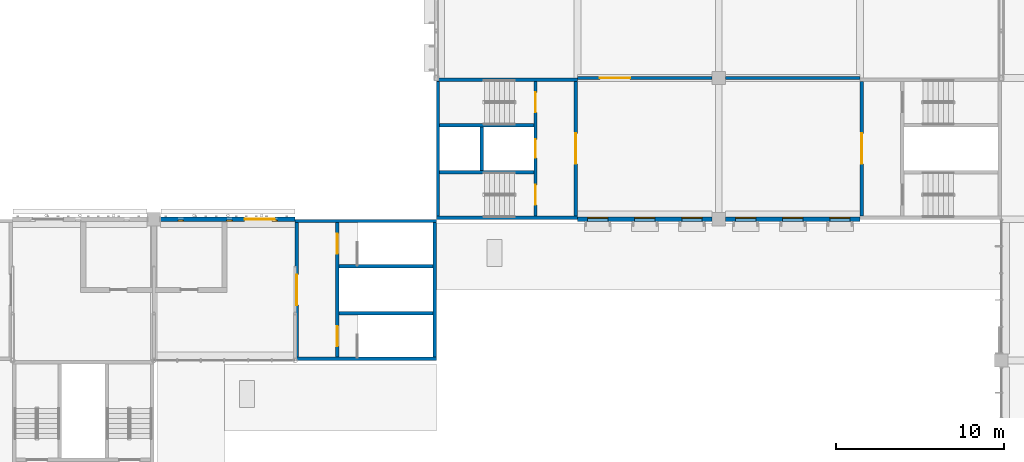
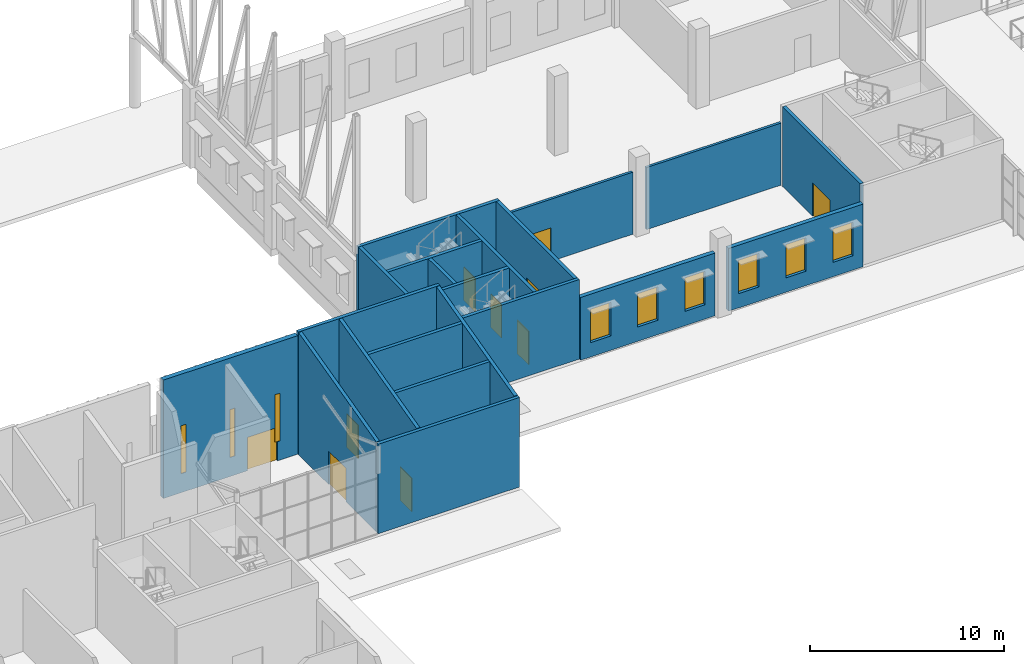
# One storey, part 35 of 101: 21 walls, 10 doors, 9 windows, 19 openings.
"""IFC4 building model written with IfcOpenShell, lengths in metres."""

from ifc_helpers import new_model, si_unit, direction, frame, frame_2d, origin, place, context, subcontext, project, spatial, polyline, rectangle, outline, extrude, material, layer, layer_set, type_object, element, fill, save


model = new_model("IFC4")

# Units and contexts
model_context = context("Model", 3, precision=1e-05, world=origin(), true_north=direction((0.0, 1.0)))
body_context = subcontext(model_context, "Body", "Model", "MODEL_VIEW")
ifc_project = project(units=[si_unit("LENGTHUNIT", "METRE"), si_unit("AREAUNIT", "SQUARE_METRE"), si_unit("VOLUMEUNIT", "CUBIC_METRE"), si_unit("PLANEANGLEUNIT", "RADIAN"), si_unit("MASSUNIT", "GRAM", prefix="KILO")], contexts=[model_context])

# Site, building, storey
site_placement = place(None, origin())
site = spatial("IfcSite", under=ifc_project, at=site_placement, CompositionType="ELEMENT")
building_placement = place(site_placement, origin())
building = spatial("IfcBuilding", under=site, at=building_placement, Name="Almond Square Museum", CompositionType="ELEMENT")
storey_placement = place(building_placement, frame((0.0, 0.0, 5.5)))
storey = spatial("IfcBuildingStorey", under=building, at=storey_placement, Name="L01", CompositionType="ELEMENT", Elevation=5.5)

# Wall, opening, door
ifc_material_1 = material(Name="Plasterboard on steel stud", Category="steel")
ifc_layer_1 = layer(ifc_material_1, 0.14990234375)
ifc_layer_set_1 = layer_set([ifc_layer_1], Name="Plasterboard on steel stud")
wall_type_1 = type_object("IfcWallType", Name="Partition 150 plasterboard on steel stud", PredefinedType="PARTITIONING", material=ifc_layer_set_1)
wall_1_placement = place(storey_placement, frame((48.0, 92.39990234375, 0.0), z_axis=(0.0, 0.0, 1.0), x_axis=(1.0, 0.0, 0.0)))
wall_1 = element("IfcWall", 1, at=wall_1_placement, inside=storey, type_object=wall_type_1, Name="L01 partition 10", PredefinedType="PARTITIONING", context=body_context, shape_type="SweptSolid", body=[
    extrude(rectangle(XDim=8.0, YDim=0.14990234375, at=frame_2d((4.0, 0.0))), origin(), (0.0, 0.0, 1.0), 3.89990234375),
])
opening_1_placement = place(wall_1_placement, frame((1.324951171875, 0.0, 0.0)))
opening_1 = element("IfcOpeningElement", 2, at=opening_1_placement, cuts=wall_1, Name="Opening D1105", PredefinedType="OPENING", context=body_context, shape_type="SweptSolid", body=[
    extrude(rectangle(XDim=1.800048828125, YDim=2.10009765625, at=frame_2d((0.89990234375, 1.050048828125))), frame((0.0, 0.0849609375, 0.0), z_axis=(0.0, -1.0, 0.0), x_axis=(1.0, 0.0, 0.0)), (0.0, 0.0, 1.0), 0.169921875),
])
ifc_material_2 = material(Name="Timber", Category="wood")
door_type_1 = type_object("IfcDoorType", Name="Door 1800 x 2100 timber double", OperationType="NOTDEFINED", PredefinedType="DOOR", material=ifc_material_2)
door_1_placement = place(opening_1_placement, origin())
door_1 = element("IfcDoor", 3, at=door_1_placement, inside=storey, type_object=door_type_1, Name="L01 door Court Cafe to Cafe Concourse", OperationType="DOUBLE_DOOR_SINGLE_SWING", OverallHeight=2.10009765625, OverallWidth=1.800048828125, PredefinedType="DOOR", context=body_context, shape_type="SweptSolid", body=[
    extrude(rectangle(XDim=1.800048828125, YDim=2.10009765625, at=frame_2d((0.89990234375, 1.050048828125))), frame((0.0, 0.02490234375, 0.0), z_axis=(0.0, -1.0, 0.0), x_axis=(1.0, 0.0, 0.0)), (0.0, 0.0, 1.0), 0.050048828125),
])
fill(opening_1, door_1)

# Wall
wall_2_placement = place(storey_placement, frame((56.800048828125, 92.39990234375, 0.0), z_axis=(0.0, 0.0, 1.0), x_axis=(1.0, 0.0, 0.0)))
element("IfcWall", 4, at=wall_2_placement, inside=storey, type_object=wall_type_1, Name="L01 partition 11", PredefinedType="PARTITIONING", context=body_context, shape_type="SweptSolid", body=[
    extrude(rectangle(XDim=8.0, YDim=0.14990234375, at=frame_2d((4.0, 0.0))), origin(), (0.0, 0.0, 1.0), 3.89990234375),
])

# Wall, openings, windows
ifc_material_3 = material(Name="Precast concrete C40/50", Category="concrete")
ifc_layer_2 = layer(ifc_material_3, 0.25)
ifc_layer_set_2 = layer_set([ifc_layer_2], Name="Precast concrete C40/50")
wall_type_2 = type_object("IfcWallType", Name="Precast concrete panel wall 250 with coral limestone piers", PredefinedType="SOLIDWALL", material=ifc_layer_set_2)
wall_3_placement = place(storey_placement, frame((48.0, 84.0, 0.0), z_axis=(0.0, 0.0, 1.0), x_axis=(1.0, 0.0, 0.0)))
wall_3 = element("IfcWall", 5, at=wall_3_placement, inside=storey, type_object=wall_type_2, Name="External wall W2 V4N L01 S01", PredefinedType="SOLIDWALL", context=body_context, shape_type="SweptSolid", body=[
    extrude(rectangle(XDim=8.0, YDim=0.25, at=frame_2d((4.0, 0.0))), origin(), (0.0, 0.0, 1.0), 3.93994140625),
])
opening_2_placement = place(wall_3_placement, frame((0.60009765625, 0.0, 0.89990234375)))
opening_2 = element("IfcOpeningElement", 6, at=opening_2_placement, cuts=wall_3, Name="Opening W1102", PredefinedType="OPENING", context=body_context, shape_type="SweptSolid", body=[
    extrude(rectangle(XDim=1.199951171875, YDim=2.10009765625, at=frame_2d((0.60009765625, 1.050048828125))), frame((0.0, 0.135009765625, 0.0), z_axis=(0.0, -1.0, 0.0), x_axis=(1.0, 0.0, 0.0)), (0.0, 0.0, 1.0), 0.27001953125),
])
opening_3_placement = place(wall_3_placement, frame((3.39990234375, 0.0, 0.89990234375)))
opening_3 = element("IfcOpeningElement", 7, at=opening_3_placement, cuts=wall_3, Name="Opening W1103", PredefinedType="OPENING", context=body_context, shape_type="SweptSolid", body=[
    extrude(rectangle(XDim=1.199951171875, YDim=2.10009765625, at=frame_2d((0.60009765625, 1.050048828125))), frame((0.0, 0.135009765625, 0.0), z_axis=(0.0, -1.0, 0.0), x_axis=(1.0, 0.0, 0.0)), (0.0, 0.0, 1.0), 0.27001953125),
])
opening_4_placement = place(wall_3_placement, frame((6.199951171875, 0.0, 0.89990234375)))
opening_4 = element("IfcOpeningElement", 8, at=opening_4_placement, cuts=wall_3, Name="Opening W1104", PredefinedType="OPENING", context=body_context, shape_type="SweptSolid", body=[
    extrude(rectangle(XDim=1.199951171875, YDim=2.10009765625, at=frame_2d((0.60009765625, 1.050048828125))), frame((0.0, 0.135009765625, 0.0), z_axis=(0.0, -1.0, 0.0), x_axis=(1.0, 0.0, 0.0)), (0.0, 0.0, 1.0), 0.27001953125),
])
ifc_material_4 = material(Name="Anodised aluminium louvre and laminated glass", Category="aluminium")
window_type_1 = type_object("IfcWindowType", Name="Louvred pier window", PartitioningType="SINGLE_PANEL", PredefinedType="WINDOW", material=ifc_material_4)
window_1_placement = place(opening_2_placement, origin())
window_1 = element("IfcWindow", 9, at=window_1_placement, inside=storey, type_object=window_type_1, Name="Louvred pier window W1102", OverallHeight=2.10009765625, OverallWidth=1.199951171875, PartitioningType="SINGLE_PANEL", PredefinedType="WINDOW", context=body_context, shape_type="SweptSolid", body=[
    extrude(rectangle(XDim=1.199951171875, YDim=2.10009765625, at=frame_2d((0.60009765625, 1.050048828125))), frame((0.0, 0.10498046875, 0.0), z_axis=(0.0, -1.0, 0.0), x_axis=(1.0, 0.0, 0.0)), (0.0, 0.0, 1.0), 0.06005859375),
])
fill(opening_2, window_1)
window_2_placement = place(opening_3_placement, origin())
window_2 = element("IfcWindow", 10, at=window_2_placement, inside=storey, type_object=window_type_1, Name="Louvred pier window W1103", OverallHeight=2.10009765625, OverallWidth=1.199951171875, PartitioningType="SINGLE_PANEL", PredefinedType="WINDOW", context=body_context, shape_type="SweptSolid", body=[
    extrude(rectangle(XDim=1.199951171875, YDim=2.10009765625, at=frame_2d((0.60009765625, 1.050048828125))), frame((0.0, 0.10498046875, 0.0), z_axis=(0.0, -1.0, 0.0), x_axis=(1.0, 0.0, 0.0)), (0.0, 0.0, 1.0), 0.06005859375),
])
fill(opening_3, window_2)
window_3_placement = place(opening_4_placement, origin())
window_3 = element("IfcWindow", 11, at=window_3_placement, inside=storey, type_object=window_type_1, Name="Louvred pier window W1104", OverallHeight=2.10009765625, OverallWidth=1.199951171875, PartitioningType="SINGLE_PANEL", PredefinedType="WINDOW", context=body_context, shape_type="SweptSolid", body=[
    extrude(rectangle(XDim=1.199951171875, YDim=2.10009765625, at=frame_2d((0.60009765625, 1.050048828125))), frame((0.0, 0.10498046875, 0.0), z_axis=(0.0, -1.0, 0.0), x_axis=(1.0, 0.0, 0.0)), (0.0, 0.0, 1.0), 0.06005859375),
])
fill(opening_4, window_3)

wall_4_placement = place(storey_placement, frame((56.800048828125, 84.0, 0.0), z_axis=(0.0, 0.0, 1.0), x_axis=(1.0, 0.0, 0.0)))
wall_4 = element("IfcWall", 12, at=wall_4_placement, inside=storey, type_object=wall_type_2, Name="External wall W2 V4N L01 S02", PredefinedType="SOLIDWALL", context=body_context, shape_type="SweptSolid", body=[
    extrude(rectangle(XDim=8.0, YDim=0.25, at=frame_2d((4.0, 0.0))), origin(), (0.0, 0.0, 1.0), 3.93994140625),
])
opening_5_placement = place(wall_4_placement, frame((0.60009765625, 0.0, 0.89990234375)))
opening_5 = element("IfcOpeningElement", 13, at=opening_5_placement, cuts=wall_4, Name="Opening W1105", PredefinedType="OPENING", context=body_context, shape_type="SweptSolid", body=[
    extrude(rectangle(XDim=1.199951171875, YDim=2.10009765625, at=frame_2d((0.60009765625, 1.050048828125))), frame((0.0, 0.135009765625, 0.0), z_axis=(0.0, -1.0, 0.0), x_axis=(1.0, 0.0, 0.0)), (0.0, 0.0, 1.0), 0.27001953125),
])
opening_6_placement = place(wall_4_placement, frame((3.39990234375, 0.0, 0.89990234375)))
opening_6 = element("IfcOpeningElement", 14, at=opening_6_placement, cuts=wall_4, Name="Opening W1106", PredefinedType="OPENING", context=body_context, shape_type="SweptSolid", body=[
    extrude(rectangle(XDim=1.199951171875, YDim=2.10009765625, at=frame_2d((0.60009765625, 1.050048828125))), frame((0.0, 0.135009765625, 0.0), z_axis=(0.0, -1.0, 0.0), x_axis=(1.0, 0.0, 0.0)), (0.0, 0.0, 1.0), 0.27001953125),
])
opening_7_placement = place(wall_4_placement, frame((6.199951171875, 0.0, 0.89990234375)))
opening_7 = element("IfcOpeningElement", 15, at=opening_7_placement, cuts=wall_4, Name="Opening W1107", PredefinedType="OPENING", context=body_context, shape_type="SweptSolid", body=[
    extrude(rectangle(XDim=1.199951171875, YDim=2.10009765625, at=frame_2d((0.60009765625, 1.050048828125))), frame((0.0, 0.135009765625, 0.0), z_axis=(0.0, -1.0, 0.0), x_axis=(1.0, 0.0, 0.0)), (0.0, 0.0, 1.0), 0.27001953125),
])
window_4_placement = place(opening_5_placement, origin())
window_4 = element("IfcWindow", 16, at=window_4_placement, inside=storey, type_object=window_type_1, Name="Louvred pier window W1105", OverallHeight=2.10009765625, OverallWidth=1.199951171875, PartitioningType="SINGLE_PANEL", PredefinedType="WINDOW", context=body_context, shape_type="SweptSolid", body=[
    extrude(rectangle(XDim=1.199951171875, YDim=2.10009765625, at=frame_2d((0.60009765625, 1.050048828125))), frame((0.0, 0.10498046875, 0.0), z_axis=(0.0, -1.0, 0.0), x_axis=(1.0, 0.0, 0.0)), (0.0, 0.0, 1.0), 0.06005859375),
])
fill(opening_5, window_4)
window_5_placement = place(opening_6_placement, origin())
window_5 = element("IfcWindow", 17, at=window_5_placement, inside=storey, type_object=window_type_1, Name="Louvred pier window W1106", OverallHeight=2.10009765625, OverallWidth=1.199951171875, PartitioningType="SINGLE_PANEL", PredefinedType="WINDOW", context=body_context, shape_type="SweptSolid", body=[
    extrude(rectangle(XDim=1.199951171875, YDim=2.10009765625, at=frame_2d((0.60009765625, 1.050048828125))), frame((0.0, 0.10498046875, 0.0), z_axis=(0.0, -1.0, 0.0), x_axis=(1.0, 0.0, 0.0)), (0.0, 0.0, 1.0), 0.06005859375),
])
fill(opening_6, window_5)
window_6_placement = place(opening_7_placement, origin())
window_6 = element("IfcWindow", 18, at=window_6_placement, inside=storey, type_object=window_type_1, Name="Louvred pier window W1107", OverallHeight=2.10009765625, OverallWidth=1.199951171875, PartitioningType="SINGLE_PANEL", PredefinedType="WINDOW", context=body_context, shape_type="SweptSolid", body=[
    extrude(rectangle(XDim=1.199951171875, YDim=2.10009765625, at=frame_2d((0.60009765625, 1.050048828125))), frame((0.0, 0.10498046875, 0.0), z_axis=(0.0, -1.0, 0.0), x_axis=(1.0, 0.0, 0.0)), (0.0, 0.0, 1.0), 0.06005859375),
])
fill(opening_7, window_6)

# Walls
ifc_material_5 = material(Name="Concrete C40/50", Category="concrete")
ifc_layer_3 = layer(ifc_material_5, 0.199951171875)
ifc_layer_set_3 = layer_set([ifc_layer_3], Name="Concrete C40/50")
wall_type_3 = type_object("IfcWallType", Name="RC shear wall 200 C40/50", PredefinedType="SHEAR", material=ifc_layer_set_3)
wall_5_placement = place(storey_placement, frame((31.199951171875, 75.699951171875, 0.0), z_axis=(0.0, 0.0, 1.0), x_axis=(1.0, 0.0, 0.0)))
element("IfcWall", 19, at=wall_5_placement, inside=storey, type_object=wall_type_3, Name="Core U2 south wall L01", PredefinedType="SHEAR", context=body_context, shape_type="SweptSolid", body=[
    extrude(rectangle(XDim=8.400146484375, YDim=0.199951171875, at=frame_2d((4.2001953125, 0.0))), origin(), (0.0, 0.0, 1.0), 5.625),
])
wall_6_placement = place(storey_placement, frame((31.199951171875, 83.89990234375, 0.0), z_axis=(0.0, 0.0, 1.0), x_axis=(1.0, 0.0, 0.0)))
element("IfcWall", 20, at=wall_6_placement, inside=storey, type_object=wall_type_3, Name="Core U2 north wall L01", PredefinedType="SHEAR", context=body_context, shape_type="SweptSolid", body=[
    extrude(rectangle(XDim=8.400146484375, YDim=0.199951171875, at=frame_2d((4.2001953125, 0.0))), origin(), (0.0, 0.0, 1.0), 7.699951171875),
])

# Wall, opening, door
wall_7_placement = place(storey_placement, frame((31.300048828125, 75.800048828125, 0.0), z_axis=(0.0, 0.0, 1.0), x_axis=(0.0, 1.0, 0.0)))
wall_7 = element("IfcWall", 21, at=wall_7_placement, inside=storey, type_object=wall_type_3, Name="Core U2 west wall L01", PredefinedType="SHEAR", context=body_context, shape_type="SweptSolid", body=[
    extrude(outline(polyline([(0.0, 0.0), (8.0, 0.0), (8.0, 7.674072265625), (7.407470703125, 7.52392578125), (7.111083984375, 7.449951171875), (0.888916015625, 5.875), (0.592529296875, 5.801025390625), (0.0, 5.65087890625), (0.0, 0.0)])), frame((0.0, 0.10009765625, 0.0), z_axis=(0.0, -1.0, 0.0), x_axis=(1.0, 0.0, 0.0)), (0.0, 0.0, 1.0), 0.199951171875),
])
opening_8_placement = place(wall_7_placement, frame((3.10009765625, 0.0, 0.0)))
opening_8 = element("IfcOpeningElement", 22, at=opening_8_placement, cuts=wall_7, Name="Opening D1176", PredefinedType="OPENING", context=body_context, shape_type="SweptSolid", body=[
    extrude(rectangle(XDim=1.800048828125, YDim=2.10009765625, at=frame_2d((0.89990234375, 1.050048828125))), frame((0.0, 0.10986328125, 0.0), z_axis=(0.0, -1.0, 0.0), x_axis=(1.0, 0.0, 0.0)), (0.0, 0.0, 1.0), 0.219970703125),
])
ifc_material_6 = material(Name="Steel", Category="steel")
door_type_2 = type_object("IfcDoorType", Name="Fire door 1800 x 2100 FD60 double", OperationType="NOTDEFINED", PredefinedType="DOOR", material=ifc_material_6)
door_2_placement = place(opening_8_placement, origin())
door_2 = element("IfcDoor", 23, at=door_2_placement, inside=storey, type_object=door_type_2, Name="L01 stair core U2 lobby door", OperationType="DOUBLE_DOOR_SINGLE_SWING", OverallHeight=2.10009765625, OverallWidth=1.800048828125, PredefinedType="DOOR", context=body_context, shape_type="SweptSolid", body=[
    extrude(rectangle(XDim=1.800048828125, YDim=2.10009765625, at=frame_2d((0.89990234375, 1.050048828125))), frame((0.0, 0.02490234375, 0.0), z_axis=(0.0, -1.0, 0.0), x_axis=(1.0, 0.0, 0.0)), (0.0, 0.0, 1.0), 0.050048828125),
])
fill(opening_8, door_2)

# Wall
wall_8_placement = place(storey_placement, frame((39.5, 75.800048828125, 0.0), z_axis=(0.0, 0.0, 1.0), x_axis=(0.0, 1.0, 0.0)))
element("IfcWall", 24, at=wall_8_placement, inside=storey, type_object=wall_type_3, Name="Core U2 east wall L01", PredefinedType="SHEAR", context=body_context, shape_type="SweptSolid", body=[
    extrude(outline(polyline([(0.0, 0.0), (8.0, 0.0), (8.0, 7.674072265625), (7.407470703125, 7.52392578125), (7.111083984375, 7.449951171875), (0.888916015625, 5.875), (0.592529296875, 5.801025390625), (0.0, 5.65087890625), (0.0, 0.0)])), frame((0.0, 0.10009765625, 0.0), z_axis=(0.0, -1.0, 0.0), x_axis=(1.0, 0.0, 0.0)), (0.0, 0.0, 1.0), 0.199951171875),
])

# Wall, openings, doors
wall_9_placement = place(storey_placement, frame((33.699951171875, 75.800048828125, 0.0), z_axis=(0.0, 0.0, 1.0), x_axis=(0.0, 1.0, 0.0)))
wall_9 = element("IfcWall", 25, at=wall_9_placement, inside=storey, type_object=wall_type_3, Name="Core U2 lobby wall L01", PredefinedType="SHEAR", context=body_context, shape_type="SweptSolid", body=[
    extrude(outline(polyline([(0.0, 0.0), (8.0, 0.0), (8.0, 7.674072265625), (7.407470703125, 7.52392578125), (7.111083984375, 7.449951171875), (0.888916015625, 5.875), (0.592529296875, 5.801025390625), (0.0, 5.65087890625), (0.0, 0.0)])), frame((0.0, 0.10009765625, 0.0), z_axis=(0.0, -1.0, 0.0), x_axis=(1.0, 0.0, 0.0)), (0.0, 0.0, 1.0), 0.199951171875),
])
opening_9_placement = place(wall_9_placement, frame((0.64990234375, 0.0, 0.0)))
opening_9 = element("IfcOpeningElement", 26, at=opening_9_placement, cuts=wall_9, Name="Opening D1177", PredefinedType="OPENING", context=body_context, shape_type="SweptSolid", body=[
    extrude(rectangle(XDim=1.199951171875, YDim=2.10009765625, at=frame_2d((0.60009765625, 1.050048828125))), frame((0.0, 0.10986328125, 0.0), z_axis=(0.0, -1.0, 0.0), x_axis=(1.0, 0.0, 0.0)), (0.0, 0.0, 1.0), 0.219970703125),
])
opening_10_placement = place(wall_9_placement, frame((6.14990234375, 0.0, 0.0)))
opening_10 = element("IfcOpeningElement", 27, at=opening_10_placement, cuts=wall_9, Name="Opening D1178", PredefinedType="OPENING", context=body_context, shape_type="SweptSolid", body=[
    extrude(rectangle(XDim=1.199951171875, YDim=2.10009765625, at=frame_2d((0.60009765625, 1.050048828125))), frame((0.0, 0.10986328125, 0.0), z_axis=(0.0, -1.0, 0.0), x_axis=(1.0, 0.0, 0.0)), (0.0, 0.0, 1.0), 0.219970703125),
])
ifc_material_7 = material(Name="Steel", Category="steel")
door_type_3 = type_object("IfcDoorType", Name="Fire door 1200 x 2100 FD120 stair", OperationType="NOTDEFINED", PredefinedType="DOOR", material=ifc_material_7)
door_3_placement = place(opening_9_placement, origin())
door_3 = element("IfcDoor", 28, at=door_3_placement, inside=storey, type_object=door_type_3, Name="L01 stair U2-1 door", OperationType="SINGLE_SWING_LEFT", OverallHeight=2.10009765625, OverallWidth=1.199951171875, PredefinedType="DOOR", context=body_context, shape_type="SweptSolid", body=[
    extrude(rectangle(XDim=1.199951171875, YDim=2.10009765625, at=frame_2d((0.60009765625, 1.050048828125))), frame((0.0, 0.02490234375, 0.0), z_axis=(0.0, -1.0, 0.0), x_axis=(1.0, 0.0, 0.0)), (0.0, 0.0, 1.0), 0.050048828125),
])
fill(opening_9, door_3)
door_4_placement = place(opening_10_placement, origin())
door_4 = element("IfcDoor", 29, at=door_4_placement, inside=storey, type_object=door_type_3, Name="L01 stair U2-2 door", OperationType="SINGLE_SWING_RIGHT", OverallHeight=2.10009765625, OverallWidth=1.199951171875, PredefinedType="DOOR", context=body_context, shape_type="SweptSolid", body=[
    extrude(rectangle(XDim=1.199951171875, YDim=2.10009765625, at=frame_2d((0.60009765625, 1.050048828125))), frame((0.0, 0.02490234375, 0.0), z_axis=(0.0, -1.0, 0.0), x_axis=(1.0, 0.0, 0.0)), (0.0, 0.0, 1.0), 0.050048828125),
])
fill(opening_10, door_4)

# Walls
wall_10_placement = place(storey_placement, frame((33.800048828125, 78.39990234375, 0.0), z_axis=(0.0, 0.0, 1.0), x_axis=(1.0, 0.0, 0.0)))
element("IfcWall", 30, at=wall_10_placement, inside=storey, type_object=wall_type_3, Name="Core U2 partition wall L01", PredefinedType="SHEAR", context=body_context, shape_type="SweptSolid", body=[
    extrude(rectangle(XDim=5.599853515625, YDim=0.199951171875, at=frame_2d((2.7998046875, 0.0))), origin(), (0.0, 0.0, 1.0), 6.3076171875),
])
wall_11_placement = place(storey_placement, frame((33.800048828125, 81.199951171875, 0.0), z_axis=(0.0, 0.0, 1.0), x_axis=(1.0, 0.0, 0.0)))
element("IfcWall", 31, at=wall_11_placement, inside=storey, type_object=wall_type_3, Name="Core U2 partition wall L01", PredefinedType="SHEAR", context=body_context, shape_type="SweptSolid", body=[
    extrude(rectangle(XDim=5.599853515625, YDim=0.199951171875, at=frame_2d((2.7998046875, 0.0))), origin(), (0.0, 0.0, 1.0), 7.017578125),
])
for number, where, z_axis, x_axis, name in (
    (32, (39.60009765625, 84.10009765625, 0.0), (0.0, 0.0, 1.0), (1.0, 0.0, 0.0), "Core N1 south wall L01"),
    (33, (39.60009765625, 92.300048828125, 0.0), (0.0, 0.0, 1.0), (1.0, 0.0, 0.0), "Core N1 north wall L01"),
):
    element("IfcWall", number, at=place(storey_placement, frame(where, z_axis=z_axis, x_axis=x_axis)), inside=storey, type_object=wall_type_3, Name=name, PredefinedType="SHEAR", context=body_context, shape_type="SweptSolid", body=[
        extrude(rectangle(XDim=8.39990234375, YDim=0.199951171875, at=frame_2d((4.199951171875, 0.0))), origin(), (0.0, 0.0, 1.0), 5.0),
    ])
wall_12_placement = place(storey_placement, frame((39.699951171875, 84.199951171875, 0.0), z_axis=(0.0, 0.0, 1.0), x_axis=(0.0, 1.0, 0.0)))
element("IfcWall", 34, at=wall_12_placement, inside=storey, type_object=wall_type_3, Name="Core N1 west wall L01", PredefinedType="SHEAR", context=body_context, shape_type="SweptSolid", body=[
    extrude(rectangle(XDim=8.0, YDim=0.199951171875, at=frame_2d((4.0, 0.0))), origin(), (0.0, 0.0, 1.0), 5.0),
])

# Wall, opening, door
wall_13_placement = place(storey_placement, frame((47.89990234375, 84.199951171875, 0.0), z_axis=(0.0, 0.0, 1.0), x_axis=(0.0, 1.0, 0.0)))
wall_13 = element("IfcWall", 35, at=wall_13_placement, inside=storey, type_object=wall_type_3, Name="Core N1 east wall L01", PredefinedType="SHEAR", context=body_context, shape_type="SweptSolid", body=[
    extrude(rectangle(XDim=8.0, YDim=0.199951171875, at=frame_2d((4.0, 0.0))), origin(), (0.0, 0.0, 1.0), 5.0),
])
opening_11_placement = place(wall_13_placement, frame((3.10009765625, 0.0, 0.0)))
opening_11 = element("IfcOpeningElement", 36, at=opening_11_placement, cuts=wall_13, Name="Opening D1179", PredefinedType="OPENING", context=body_context, shape_type="SweptSolid", body=[
    extrude(rectangle(XDim=1.800048828125, YDim=2.10009765625, at=frame_2d((0.89990234375, 1.050048828125))), frame((0.0, 0.10986328125, 0.0), z_axis=(0.0, -1.0, 0.0), x_axis=(1.0, 0.0, 0.0)), (0.0, 0.0, 1.0), 0.219970703125),
])
door_5_placement = place(opening_11_placement, origin())
door_5 = element("IfcDoor", 37, at=door_5_placement, inside=storey, type_object=door_type_2, Name="L01 stair core N1 lobby door", OperationType="DOUBLE_DOOR_SINGLE_SWING", OverallHeight=2.10009765625, OverallWidth=1.800048828125, PredefinedType="DOOR", context=body_context, shape_type="SweptSolid", body=[
    extrude(rectangle(XDim=1.800048828125, YDim=2.10009765625, at=frame_2d((0.89990234375, 1.050048828125))), frame((0.0, 0.02490234375, 0.0), z_axis=(0.0, -1.0, 0.0), x_axis=(1.0, 0.0, 0.0)), (0.0, 0.0, 1.0), 0.050048828125),
])
fill(opening_11, door_5)

# Wall, openings, doors
wall_14_placement = place(storey_placement, frame((45.5, 84.199951171875, 0.0), z_axis=(0.0, 0.0, 1.0), x_axis=(0.0, 1.0, 0.0)))
wall_14 = element("IfcWall", 38, at=wall_14_placement, inside=storey, type_object=wall_type_3, Name="Core N1 lobby wall L01", PredefinedType="SHEAR", context=body_context, shape_type="SweptSolid", body=[
    extrude(rectangle(XDim=8.0, YDim=0.199951171875, at=frame_2d((4.0, 0.0))), origin(), (0.0, 0.0, 1.0), 5.0),
])
opening_12_placement = place(wall_14_placement, frame((0.64990234375, 0.0, 0.0)))
opening_12 = element("IfcOpeningElement", 39, at=opening_12_placement, cuts=wall_14, Name="Opening D1180", PredefinedType="OPENING", context=body_context, shape_type="SweptSolid", body=[
    extrude(rectangle(XDim=1.199951171875, YDim=2.10009765625, at=frame_2d((0.60009765625, 1.050048828125))), frame((0.0, 0.10986328125, 0.0), z_axis=(0.0, -1.0, 0.0), x_axis=(1.0, 0.0, 0.0)), (0.0, 0.0, 1.0), 0.219970703125),
])
opening_13_placement = place(wall_14_placement, frame((6.14990234375, 0.0, 0.0)))
opening_13 = element("IfcOpeningElement", 40, at=opening_13_placement, cuts=wall_14, Name="Opening D1181", PredefinedType="OPENING", context=body_context, shape_type="SweptSolid", body=[
    extrude(rectangle(XDim=1.199951171875, YDim=2.10009765625, at=frame_2d((0.60009765625, 1.050048828125))), frame((0.0, 0.10986328125, 0.0), z_axis=(0.0, -1.0, 0.0), x_axis=(1.0, 0.0, 0.0)), (0.0, 0.0, 1.0), 0.219970703125),
])
opening_14_placement = place(wall_14_placement, frame((3.449951171875, 0.0, 0.0)))
opening_14 = element("IfcOpeningElement", 41, at=opening_14_placement, cuts=wall_14, Name="Opening D1182", PredefinedType="OPENING", context=body_context, shape_type="SweptSolid", body=[
    extrude(rectangle(XDim=1.10009765625, YDim=2.10009765625, at=frame_2d((0.550048828125, 1.050048828125))), frame((0.0, 0.10986328125, 0.0), z_axis=(0.0, -1.0, 0.0), x_axis=(1.0, 0.0, 0.0)), (0.0, 0.0, 1.0), 0.219970703125),
])
door_6_placement = place(opening_12_placement, origin())
door_6 = element("IfcDoor", 42, at=door_6_placement, inside=storey, type_object=door_type_3, Name="L01 stair N1-1 door", OperationType="SINGLE_SWING_LEFT", OverallHeight=2.10009765625, OverallWidth=1.199951171875, PredefinedType="DOOR", context=body_context, shape_type="SweptSolid", body=[
    extrude(rectangle(XDim=1.199951171875, YDim=2.10009765625, at=frame_2d((0.60009765625, 1.050048828125))), frame((0.0, 0.02490234375, 0.0), z_axis=(0.0, -1.0, 0.0), x_axis=(1.0, 0.0, 0.0)), (0.0, 0.0, 1.0), 0.050048828125),
])
fill(opening_12, door_6)
door_7_placement = place(opening_13_placement, origin())
door_7 = element("IfcDoor", 43, at=door_7_placement, inside=storey, type_object=door_type_3, Name="L01 stair N1-2 door", OperationType="SINGLE_SWING_RIGHT", OverallHeight=2.10009765625, OverallWidth=1.199951171875, PredefinedType="DOOR", context=body_context, shape_type="SweptSolid", body=[
    extrude(rectangle(XDim=1.199951171875, YDim=2.10009765625, at=frame_2d((0.60009765625, 1.050048828125))), frame((0.0, 0.02490234375, 0.0), z_axis=(0.0, -1.0, 0.0), x_axis=(1.0, 0.0, 0.0)), (0.0, 0.0, 1.0), 0.050048828125),
])
fill(opening_13, door_7)
ifc_material_8 = material(Name="Stainless steel", Category="steel")
door_type_4 = type_object("IfcDoorType", Name="Lift landing door 1100 x 2100", OperationType="NOTDEFINED", PredefinedType="DOOR", material=ifc_material_8)
door_8_placement = place(opening_14_placement, origin())
door_8 = element("IfcDoor", 44, at=door_8_placement, inside=storey, type_object=door_type_4, Name="L01 lift PL-N1 landing door", OperationType="DOUBLE_DOOR_SLIDING", OverallHeight=2.10009765625, OverallWidth=1.10009765625, PredefinedType="DOOR", context=body_context, shape_type="SweptSolid", body=[
    extrude(rectangle(XDim=1.10009765625, YDim=2.10009765625, at=frame_2d((0.550048828125, 1.050048828125))), frame((0.0, 0.02490234375, 0.0), z_axis=(0.0, -1.0, 0.0), x_axis=(1.0, 0.0, 0.0)), (0.0, 0.0, 1.0), 0.050048828125),
])
fill(opening_14, door_8)

# Walls
for number, where, z_axis, x_axis, name in (
    (45, (39.800048828125, 86.800048828125, 0.0), (0.0, 0.0, 1.0), (1.0, 0.0, 0.0), "Core N1 partition wall L01"),
    (46, (39.800048828125, 89.60009765625, 0.0), (0.0, 0.0, 1.0), (1.0, 0.0, 0.0), "Core N1 partition wall L01"),
):
    element("IfcWall", number, at=place(storey_placement, frame(where, z_axis=z_axis, x_axis=x_axis)), inside=storey, type_object=wall_type_3, Name=name, PredefinedType="SHEAR", context=body_context, shape_type="SweptSolid", body=[
        extrude(rectangle(XDim=5.599853515625, YDim=0.199951171875, at=frame_2d((2.7998046875, 0.0))), origin(), (0.0, 0.0, 1.0), 5.0),
    ])
wall_15_placement = place(storey_placement, frame((42.300048828125, 86.89990234375, 0.0), z_axis=(0.0, 0.0, 1.0), x_axis=(0.0, 1.0, 0.0)))
element("IfcWall", 47, at=wall_15_placement, inside=storey, type_object=wall_type_3, Name="Core N1 partition wall L01", PredefinedType="SHEAR", context=body_context, shape_type="SweptSolid", body=[
    extrude(rectangle(XDim=2.60009765625, YDim=0.199951171875, at=frame_2d((1.300048828125, 0.0))), origin(), (0.0, 0.0, 1.0), 5.0),
])

# Wall, opening, door
wall_16_placement = place(storey_placement, frame((64.89990234375, 84.199951171875, 0.0), z_axis=(0.0, 0.0, 1.0), x_axis=(0.0, 1.0, 0.0)))
wall_16 = element("IfcWall", 48, at=wall_16_placement, inside=storey, type_object=wall_type_3, Name="Core N2 west wall L01", PredefinedType="SHEAR", context=body_context, shape_type="SweptSolid", body=[
    extrude(rectangle(XDim=8.0, YDim=0.199951171875, at=frame_2d((4.0, 0.0))), origin(), (0.0, 0.0, 1.0), 5.0),
])
opening_15_placement = place(wall_16_placement, frame((3.10009765625, 0.0, 0.0)))
opening_15 = element("IfcOpeningElement", 49, at=opening_15_placement, cuts=wall_16, Name="Opening D1183", PredefinedType="OPENING", context=body_context, shape_type="SweptSolid", body=[
    extrude(rectangle(XDim=1.800048828125, YDim=2.10009765625, at=frame_2d((0.89990234375, 1.050048828125))), frame((0.0, 0.10986328125, 0.0), z_axis=(0.0, -1.0, 0.0), x_axis=(1.0, 0.0, 0.0)), (0.0, 0.0, 1.0), 0.219970703125),
])
door_9_placement = place(opening_15_placement, origin())
door_9 = element("IfcDoor", 50, at=door_9_placement, inside=storey, type_object=door_type_2, Name="L01 stair core N2 lobby door", OperationType="DOUBLE_DOOR_SINGLE_SWING", OverallHeight=2.10009765625, OverallWidth=1.800048828125, PredefinedType="DOOR", context=body_context, shape_type="SweptSolid", body=[
    extrude(rectangle(XDim=1.800048828125, YDim=2.10009765625, at=frame_2d((0.89990234375, 1.050048828125))), frame((0.0, 0.02490234375, 0.0), z_axis=(0.0, -1.0, 0.0), x_axis=(1.0, 0.0, 0.0)), (0.0, 0.0, 1.0), 0.050048828125),
])
fill(opening_15, door_9)

# Wall, openings, door, windows
ifc_material_9 = material(Name="Concrete C30/37", Category="concrete")
ifc_layer_4 = layer(ifc_material_9, 0.280029296875)
ifc_layer_set_4 = layer_set([ifc_layer_4], Name="Concrete C30/37")
wall_type_4 = type_object("IfcWallType", Name="Timber rainscreen wall 280 on concrete", PredefinedType="SOLIDWALL", material=ifc_layer_set_4)
wall_17_placement = place(storey_placement, frame((23.199951171875, 84.0, 0.0), z_axis=(0.0, 0.0, 1.0), x_axis=(1.0, 0.0, 0.0)))
wall_17 = element("IfcWall", 51, at=wall_17_placement, inside=storey, type_object=wall_type_4, Name="External wall W3 V3 L01 N01", PredefinedType="SOLIDWALL", context=body_context, shape_type="SweptSolid", body=[
    extrude(rectangle(XDim=8.0, YDim=0.280029296875, at=frame_2d((4.0, 0.0))), origin(), (0.0, 0.0, 1.0), 7.444091796875),
])
opening_16_placement = place(wall_17_placement, frame((1.050048828125, 0.0, 1.199951171875)))
opening_16 = element("IfcOpeningElement", 52, at=opening_16_placement, cuts=wall_17, Name="Opening W1032", PredefinedType="OPENING", context=body_context, shape_type="SweptSolid", body=[
    extrude(rectangle(XDim=0.300048828125, YDim=3.0, at=frame_2d((0.14990234375, 1.5))), frame((0.0, 0.14990234375, 0.0), z_axis=(0.0, -1.0, 0.0), x_axis=(1.0, 0.0, 0.0)), (0.0, 0.0, 1.0), 0.300048828125),
])
opening_17_placement = place(wall_17_placement, frame((3.949951171875, 0.0, 1.199951171875)))
opening_17 = element("IfcOpeningElement", 53, at=opening_17_placement, cuts=wall_17, Name="Opening W1033", PredefinedType="OPENING", context=body_context, shape_type="SweptSolid", body=[
    extrude(rectangle(XDim=0.300048828125, YDim=3.0, at=frame_2d((0.14990234375, 1.5))), frame((0.0, 0.14990234375, 0.0), z_axis=(0.0, -1.0, 0.0), x_axis=(1.0, 0.0, 0.0)), (0.0, 0.0, 1.0), 0.300048828125),
])
opening_18_placement = place(wall_17_placement, frame((6.64990234375, 0.0, 1.199951171875)))
opening_18 = element("IfcOpeningElement", 54, at=opening_18_placement, cuts=wall_17, Name="Opening W1034", PredefinedType="OPENING", context=body_context, shape_type="SweptSolid", body=[
    extrude(rectangle(XDim=0.300048828125, YDim=3.0, at=frame_2d((0.14990234375, 1.5))), frame((0.0, 0.14990234375, 0.0), z_axis=(0.0, -1.0, 0.0), x_axis=(1.0, 0.0, 0.0)), (0.0, 0.0, 1.0), 0.300048828125),
])
opening_19_placement = place(wall_17_placement, frame((5.0, 0.0, 0.0)))
opening_19 = element("IfcOpeningElement", 55, at=opening_19_placement, cuts=wall_17, Name="Opening D1217", PredefinedType="OPENING", context=body_context, shape_type="SweptSolid", body=[
    extrude(rectangle(XDim=1.800048828125, YDim=2.10009765625, at=frame_2d((0.89990234375, 1.050048828125))), frame((0.0, 0.14990234375, 0.0), z_axis=(0.0, -1.0, 0.0), x_axis=(1.0, 0.0, 0.0)), (0.0, 0.0, 1.0), 0.300048828125),
])
door_10_placement = place(opening_19_placement, origin())
door_10 = element("IfcDoor", 56, at=door_10_placement, inside=storey, type_object=door_type_2, Name="L01 rear foyer door to auditorium house 29.1", OperationType="DOUBLE_DOOR_SINGLE_SWING", OverallHeight=2.10009765625, OverallWidth=1.800048828125, PredefinedType="DOOR", context=body_context, shape_type="SweptSolid", body=[
    extrude(rectangle(XDim=1.800048828125, YDim=2.10009765625, at=frame_2d((0.89990234375, 1.050048828125))), frame((0.0, 0.02490234375, 0.0), z_axis=(0.0, -1.0, 0.0), x_axis=(1.0, 0.0, 0.0)), (0.0, 0.0, 1.0), 0.050048828125),
])
fill(opening_19, door_10)
ifc_material_10 = material(Name="Timber frame and laminated glass", Category="wood")
window_type_2 = type_object("IfcWindowType", Name="Vertical slit window", PartitioningType="SINGLE_PANEL", PredefinedType="WINDOW", material=ifc_material_10)
window_7_placement = place(opening_16_placement, origin())
window_7 = element("IfcWindow", 57, at=window_7_placement, inside=storey, type_object=window_type_2, Name="Vertical slit window W1032", OverallHeight=3.0, OverallWidth=0.300048828125, PartitioningType="SINGLE_PANEL", PredefinedType="WINDOW", context=body_context, shape_type="SweptSolid", body=[
    extrude(rectangle(XDim=0.300048828125, YDim=3.0, at=frame_2d((0.14990234375, 1.5))), frame((0.0, -0.06005859375, 0.0), z_axis=(0.0, -1.0, 0.0), x_axis=(1.0, 0.0, 0.0)), (0.0, 0.0, 1.0), 0.06005859375),
])
fill(opening_16, window_7)
window_8_placement = place(opening_17_placement, origin())
window_8 = element("IfcWindow", 58, at=window_8_placement, inside=storey, type_object=window_type_2, Name="Vertical slit window W1033", OverallHeight=3.0, OverallWidth=0.300048828125, PartitioningType="SINGLE_PANEL", PredefinedType="WINDOW", context=body_context, shape_type="SweptSolid", body=[
    extrude(rectangle(XDim=0.300048828125, YDim=3.0, at=frame_2d((0.14990234375, 1.5))), frame((0.0, -0.06005859375, 0.0), z_axis=(0.0, -1.0, 0.0), x_axis=(1.0, 0.0, 0.0)), (0.0, 0.0, 1.0), 0.06005859375),
])
fill(opening_17, window_8)
window_9_placement = place(opening_18_placement, origin())
window_9 = element("IfcWindow", 59, at=window_9_placement, inside=storey, type_object=window_type_2, Name="Vertical slit window W1034", OverallHeight=3.0, OverallWidth=0.300048828125, PartitioningType="SINGLE_PANEL", PredefinedType="WINDOW", context=body_context, shape_type="SweptSolid", body=[
    extrude(rectangle(XDim=0.300048828125, YDim=3.0, at=frame_2d((0.14990234375, 1.5))), frame((0.0, -0.06005859375, 0.0), z_axis=(0.0, -1.0, 0.0), x_axis=(1.0, 0.0, 0.0)), (0.0, 0.0, 1.0), 0.06005859375),
])
fill(opening_18, window_9)

save(model, "model.ifc")
